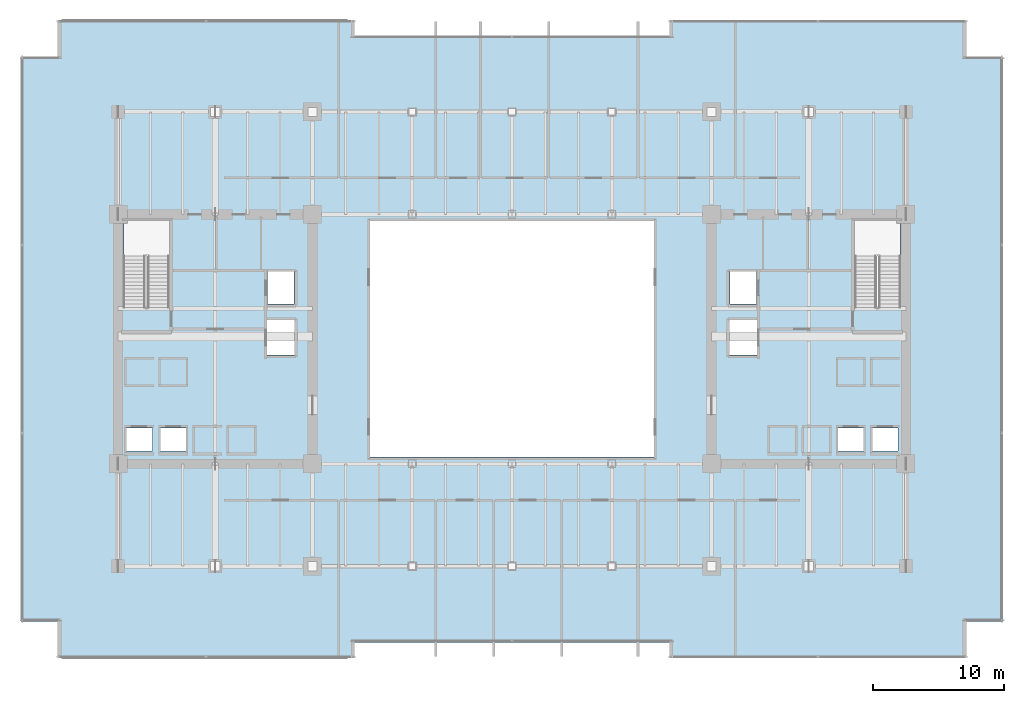
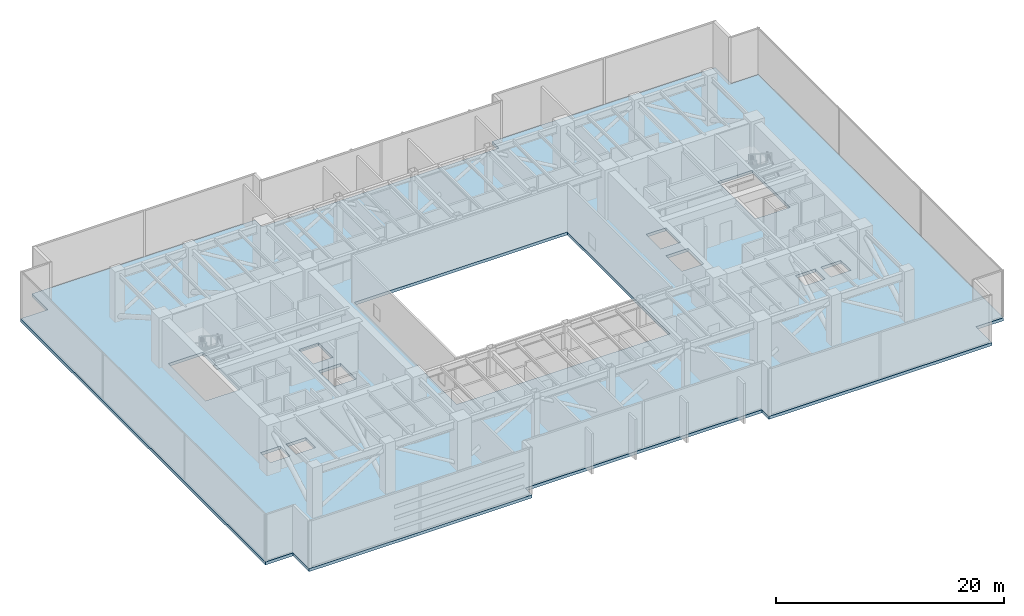
# One storey, part 29 of 38: 1 slab.
"""IFC4 building model written with IfcOpenShell, lengths in metres."""

from ifc_helpers import new_model, si_unit, direction, frame, origin, place, context, subcontext, project, spatial, polyline, outline, extrude, material, layer, layer_set, type_object, element, save


model = new_model("IFC4")

# Units and contexts
model_context = context("Model", 3, precision=1e-05, world=origin(), true_north=direction((0.0, 1.0)))
body_context = subcontext(model_context, "Body", "Model", "MODEL_VIEW")
ifc_project = project(units=[si_unit("LENGTHUNIT", "METRE"), si_unit("AREAUNIT", "SQUARE_METRE"), si_unit("VOLUMEUNIT", "CUBIC_METRE"), si_unit("PLANEANGLEUNIT", "RADIAN"), si_unit("MASSUNIT", "GRAM", prefix="KILO")], contexts=[model_context])

# Site, building, storey
site_placement = place(None, origin())
site = spatial("IfcSite", under=ifc_project, at=site_placement, CompositionType="ELEMENT")
building_placement = place(site_placement, origin())
building = spatial("IfcBuilding", under=site, at=building_placement, Name="Haelvirn Gate Laboratories", CompositionType="ELEMENT")
storey_placement = place(building_placement, frame((0.0, 0.0, 94.89990234375)))
storey = spatial("IfcBuildingStorey", under=building, at=storey_placement, Name="L23", CompositionType="ELEMENT", Elevation=94.89990234375)

# Slab
ifc_material = material(Name="Concrete C50/60", Category="concrete")
ifc_layer = layer(ifc_material, 0.320068359375, Name="SL-Z1-320")
ifc_layer_set = layer_set([ifc_layer], Name="Concrete C50/60")
slab_type = type_object("IfcSlabType", Name="SL-Z1-320", PredefinedType="FLOOR", material=ifc_layer_set)
slab_placement = place(storey_placement, frame((0.0, 0.0, -0.31982421875)))
element("IfcSlab", 1, at=slab_placement, inside=storey, type_object=slab_type, Name="L23 Structural Slab MAIN", PredefinedType="FLOOR", context=body_context, shape_type="SweptSolid", body=[
    extrude(outline(polyline([(2.800048828125, 0.0), (25.39990234375, 0.0), (25.39990234375, 1.199951171875), (49.39990234375, 1.199951171875), (49.39990234375, 0.0), (72.0, 0.0), (72.0, 2.800048828125), (74.800048828125, 2.800048828125), (74.800048828125, 45.800048828125), (72.0, 45.800048828125), (72.0, 48.60009765625), (49.39990234375, 48.60009765625), (49.39990234375, 47.39990234375), (25.39990234375, 47.39990234375), (25.39990234375, 48.60009765625), (2.800048828125, 48.60009765625), (2.800048828125, 45.800048828125), (0.0, 45.800048828125), (0.0, 2.800048828125), (2.800048828125, 2.800048828125), (2.800048828125, 0.0)]), holes=[polyline([(26.60009765625, 15.300048828125), (48.199951171875, 15.300048828125), (48.199951171875, 33.300048828125), (26.60009765625, 33.300048828125), (26.60009765625, 15.300048828125)]), polyline([(11.300048828125, 26.780029296875), (11.300048828125, 33.35009765625), (7.800048828125, 33.35009765625), (7.800048828125, 26.780029296875), (11.300048828125, 26.780029296875)]), polyline([(67.0, 26.780029296875), (67.0, 33.35009765625), (63.5, 33.35009765625), (63.5, 26.780029296875), (67.0, 26.780029296875)]), polyline([(7.989990234375, 15.77001953125), (10.010009765625, 15.77001953125), (10.010009765625, 17.510009765625), (7.989990234375, 17.510009765625), (7.989990234375, 15.77001953125)]), polyline([(10.590087890625, 15.77001953125), (12.610107421875, 15.77001953125), (12.610107421875, 17.510009765625), (10.590087890625, 17.510009765625), (10.590087890625, 15.77001953125)]), polyline([(18.7900390625, 26.969970703125), (20.81005859375, 26.969970703125), (20.81005859375, 29.510009765625), (18.7900390625, 29.510009765625), (18.7900390625, 26.969970703125)]), polyline([(18.68994140625, 23.070068359375), (20.909912109375, 23.070068359375), (20.909912109375, 25.81005859375), (18.68994140625, 25.81005859375), (18.68994140625, 23.070068359375)]), polyline([(64.7900390625, 15.77001953125), (66.81005859375, 15.77001953125), (66.81005859375, 17.510009765625), (64.7900390625, 17.510009765625), (64.7900390625, 15.77001953125)]), polyline([(62.18994140625, 15.77001953125), (64.2099609375, 15.77001953125), (64.2099609375, 17.510009765625), (62.18994140625, 17.510009765625), (62.18994140625, 15.77001953125)]), polyline([(53.989990234375, 26.969970703125), (56.010009765625, 26.969970703125), (56.010009765625, 29.510009765625), (53.989990234375, 29.510009765625), (53.989990234375, 26.969970703125)]), polyline([(53.889892578125, 23.070068359375), (56.110107421875, 23.070068359375), (56.110107421875, 25.81005859375), (53.889892578125, 25.81005859375), (53.889892578125, 23.070068359375)])]), origin(), (0.0, 0.0, 1.0), 0.31982421875),
])

save(model, "model.ifc")
